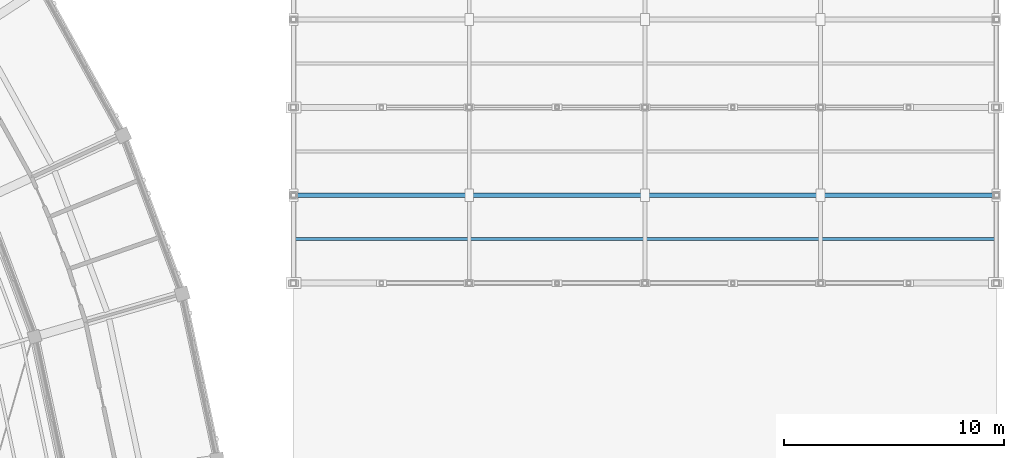
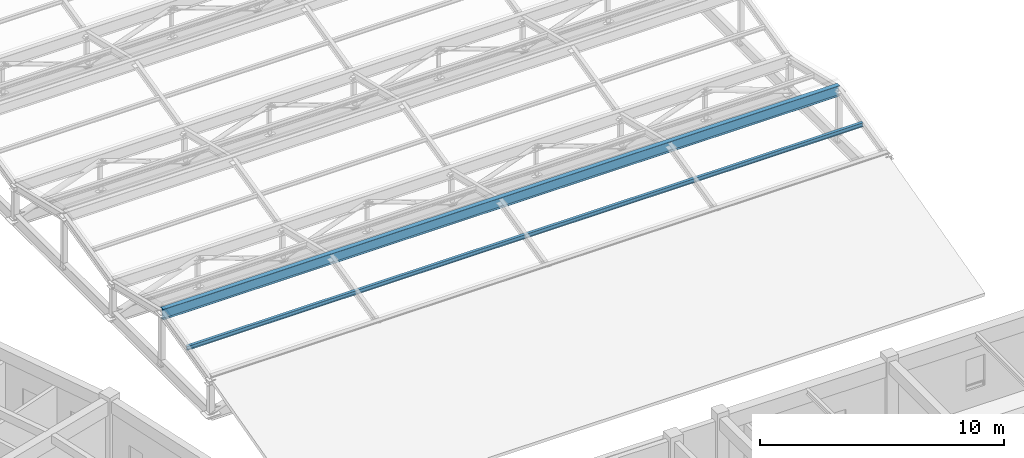
# One storey, part 41 of 112: 2 members.
"""IFC4 building model written with IfcOpenShell, lengths in metres."""

from ifc_helpers import new_model, si_unit, direction, frame, origin, origin_2d, place, context, subcontext, project, spatial, i_section, extrude, material, material_profile, profile_set, type_object, element, save


model = new_model("IFC4")

# Units and contexts
model_context = context("Model", 3, precision=1e-05, world=origin(), true_north=direction((0.0, 1.0)))
body_context = subcontext(model_context, "Body", "Model", "MODEL_VIEW")
ifc_project = project(units=[si_unit("LENGTHUNIT", "METRE"), si_unit("AREAUNIT", "SQUARE_METRE"), si_unit("VOLUMEUNIT", "CUBIC_METRE"), si_unit("PLANEANGLEUNIT", "RADIAN"), si_unit("MASSUNIT", "GRAM", prefix="KILO")], contexts=[model_context])

# Site, building, storey
site_placement = place(None, origin())
site = spatial("IfcSite", under=ifc_project, at=site_placement, CompositionType="ELEMENT")
building_placement = place(site_placement, origin())
building = spatial("IfcBuilding", under=site, at=building_placement, Name="Celadon Cloister-Ring School", CompositionType="ELEMENT")
storey_placement = place(building_placement, frame((0.0, 0.0, 8.5)))
storey = spatial("IfcBuildingStorey", under=building, at=storey_placement, Name="L02", CompositionType="ELEMENT", Elevation=8.5)

# Members
ifc_material_1 = material(Name="Structural steel S355JR", Category="steel")
ifc_material_profile_1 = material_profile(ifc_material_1, i_section(OverallWidth=0.208984375, OverallDepth=0.532958984375, WebThickness=0.01025390625, FlangeThickness=0.015625, at=origin_2d()), Name="W530X92")
ifc_profile_set_1 = profile_set([ifc_material_profile_1], Name="Structural steel S355JR")
member_type_1 = type_object("IfcMemberType", Name="MC-03", PredefinedType="CHORD", material=ifc_profile_set_1)
member_1_placement = place(storey_placement, frame((142.0, 78.0, 3.449951171875), z_axis=(1.0, 0.0, 0.0), x_axis=(0.0, 1.0, 0.0)))
element("IfcMember", 1, at=member_1_placement, inside=storey, type_object=member_type_1, Name="Structural Member 0509", PredefinedType="CHORD", context=body_context, shape_type="SweptSolid", body=[
    extrude(i_section(OverallWidth=0.208984375, OverallDepth=0.532958984375, WebThickness=0.01025390625, FlangeThickness=0.015625, at=origin_2d()), origin(), (0.0, 0.0, 1.0), 32.0),
])
ifc_material_2 = material(Name="Structural steel S355JR", Category="steel")
ifc_material_profile_2 = material_profile(ifc_material_2, i_section(OverallWidth=0.133056640625, OverallDepth=0.20703125, WebThickness=0.005859375, FlangeThickness=0.00830078125, at=origin_2d()), Name="W200X27")
ifc_profile_set_2 = profile_set([ifc_material_profile_2], Name="Structural steel S355JR")
member_type_2 = type_object("IfcMemberType", Name="MP-04", PredefinedType="PURLIN", material=ifc_profile_set_2)
member_2_placement = place(storey_placement, frame((142.02001953125, 76.0, 2.949951171875), z_axis=(1.0, 0.0, 0.0), x_axis=(0.0, 1.0, 0.0)))
element("IfcMember", 2, at=member_2_placement, inside=storey, type_object=member_type_2, Name="Structural Member 0520", PredefinedType="PURLIN", context=body_context, shape_type="SweptSolid", body=[
    extrude(i_section(OverallWidth=0.133056640625, OverallDepth=0.20703125, WebThickness=0.005859375, FlangeThickness=0.00830078125, at=origin_2d()), origin(), (0.0, 0.0, 1.0), 31.9599609375),
])

save(model, "model.ifc")
